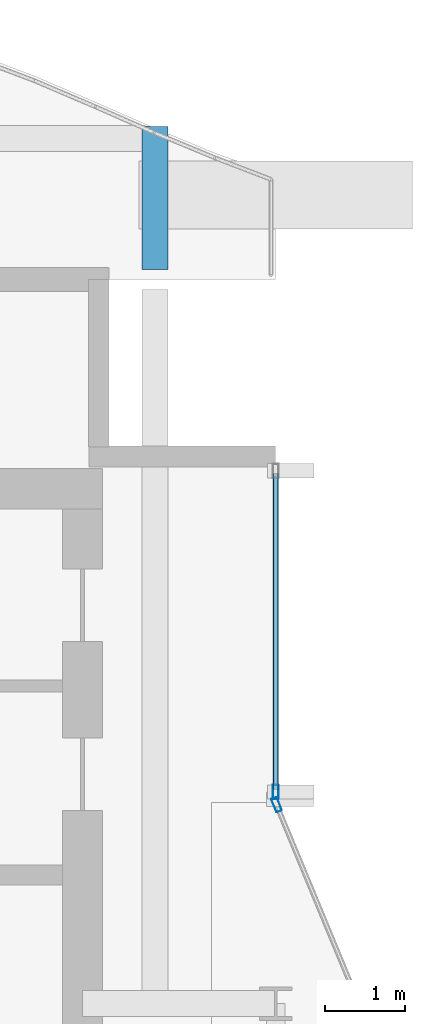
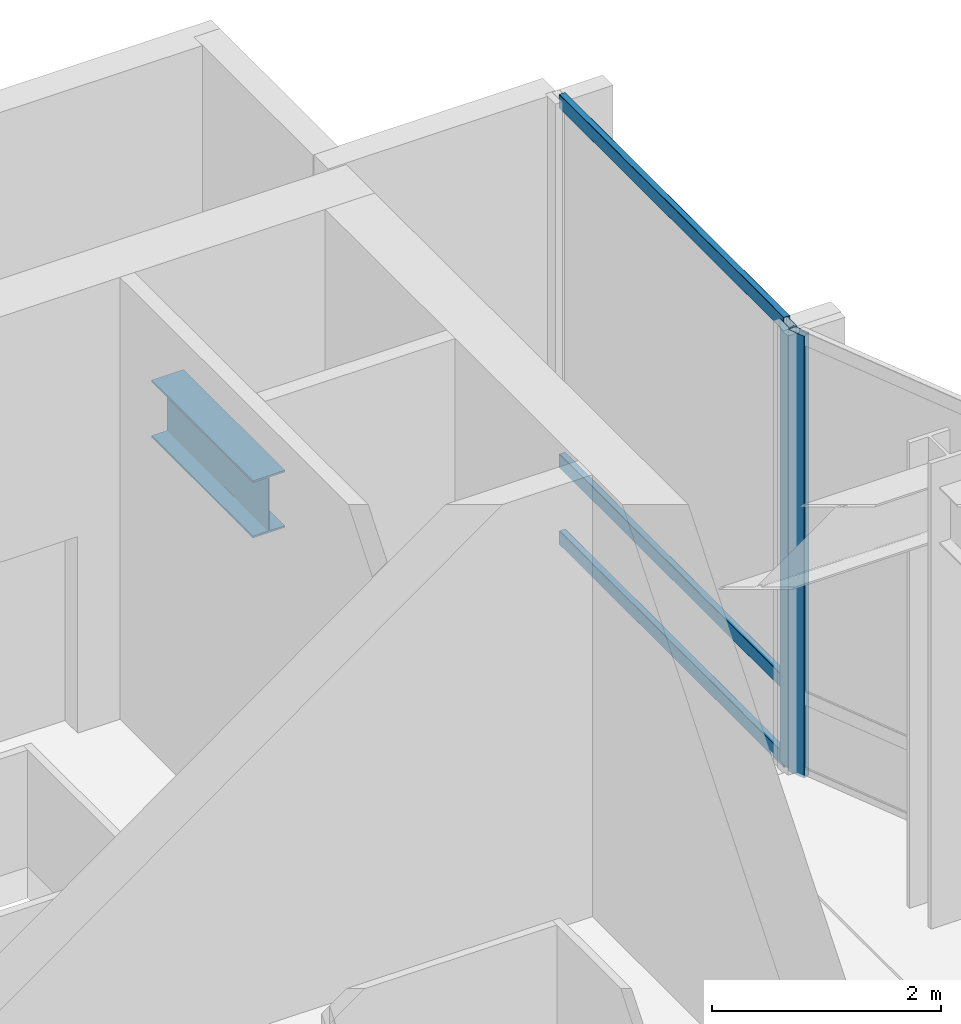
# One storey, part 18 of 29: 5 members, 1 beam, 2 elements without a shape of their own.
"""IFC4 building model written with IfcOpenShell, lengths in metres."""

import ifcopenshell
import ifcopenshell.guid

model = None  # the IFC model being written
_history = None  # IfcOwnerHistory: only IFC2X3 demands one
_inside = {}  # id of a spatial element -> (the spatial element, [elements in it])
_under = {}  # id of a project, library or spatial element -> (it, [spatial elements below it])
_declared = {}  # id of a project -> (the project, [libraries it declares])
_typed = {}  # id of a type object -> (the type object, [elements of that type])
_made_of = {}  # id of a material, layer set ... -> (it, [elements and type objects made of it])


def new_model(schema):
    """Start an empty IFC model of exactly this schema.

    Asked for "IFC4X3", IfcOpenShell would pick the latest addendum, in which some entities
    have other attributes; the version numbers below select the first issue.
    IFC2X3 requires an IfcOwnerHistory on every rooted entity: one is made here for all.
    """
    global model, _history
    if schema == "IFC4X3":
        model = ifcopenshell.file(schema_version=(4, 3, 0, 0))
    else:
        model = ifcopenshell.file(schema=schema)
    _inside.clear()
    _under.clear()
    _declared.clear()
    _typed.clear()
    _made_of.clear()
    _history = None
    if model.schema == "IFC2X3":
        org = make("IfcOrganization", Name="unknown")
        user = make(
            "IfcPersonAndOrganization",
            ThePerson=make("IfcPerson", FamilyName="unknown"),
            TheOrganization=org,
        )
        app = make(
            "IfcApplication",
            ApplicationDeveloper=org,
            Version="unknown",
            ApplicationFullName="unknown",
            ApplicationIdentifier="unknown",
        )
        _history = make(
            "IfcOwnerHistory",
            OwningUser=user,
            OwningApplication=app,
            ChangeAction="ADDED",
            CreationDate=0,
        )
    return model


def make(cls, **values):
    """One entity of the class cls with the attributes given. An attribute that is None is left unset."""
    return model.create_entity(
        cls, **{name: value for name, value in values.items() if value is not None}
    )


def rooted(cls, **values):
    """An entity with a GlobalId (a new one), such as an element, a storey or a relation."""
    return make(cls, GlobalId=ifcopenshell.guid.new(), OwnerHistory=_history, **values)


def si_unit(unit_type, name, prefix=None):
    """IfcSIUnit, for example si_unit("LENGTHUNIT", "METRE", prefix="MILLI")."""
    return make("IfcSIUnit", UnitType=unit_type, Prefix=prefix, Name=name)


def assignment(units):
    """IfcUnitAssignment: the units of a project."""
    return None if units is None else make("IfcUnitAssignment", Units=units)


def point(xyz):
    """IfcCartesianPoint."""
    return None if xyz is None else make("IfcCartesianPoint", Coordinates=xyz)


def direction(xyz):
    """IfcDirection."""
    return None if xyz is None else make("IfcDirection", DirectionRatios=xyz)


def frame(location, z_axis=None, x_axis=None):
    """IfcAxis2Placement3D, a coordinate frame: its origin and axes. An axis left out is left unset."""
    return make(
        "IfcAxis2Placement3D",
        Location=point(location),
        Axis=direction(z_axis),
        RefDirection=direction(x_axis),
    )


def frame_2d(location, x_axis=None):
    """IfcAxis2Placement2D, a coordinate frame in the plane: its origin and x axis."""
    return make(
        "IfcAxis2Placement2D", Location=point(location), RefDirection=direction(x_axis)
    )


def origin():
    """The frame at (0, 0, 0) with its axes left unset."""
    return frame((0.0, 0.0, 0.0))


def origin_2d():
    """The frame at (0, 0) in the plane with its x axis left unset."""
    return frame_2d((0.0, 0.0))


def place(relative_to, where):
    """IfcLocalPlacement: puts the frame where relative to a parent placement (None: the world)."""
    return make(
        "IfcLocalPlacement", PlacementRelTo=relative_to, RelativePlacement=where
    )


def context(
    kind, dimensions, precision=None, world=None, true_north=None, identifier=None
):
    """IfcGeometricRepresentationContext, for example the 3D "Model" context."""
    return make(
        "IfcGeometricRepresentationContext",
        ContextIdentifier=identifier,
        ContextType=kind,
        CoordinateSpaceDimension=dimensions,
        Precision=precision,
        WorldCoordinateSystem=world,
        TrueNorth=true_north,
    )


def subcontext(parent, identifier, kind, view, scale=None):
    """IfcGeometricRepresentationSubContext, for example "Body" below "Model"."""
    return make(
        "IfcGeometricRepresentationSubContext",
        ContextIdentifier=identifier,
        ContextType=kind,
        ParentContext=parent,
        TargetScale=scale,
        TargetView=view,
    )


def project(units=None, contexts=None):
    """IfcProject with its units and contexts."""
    return rooted(
        "IfcProject",
        Name="project",
        RepresentationContexts=contexts,
        UnitsInContext=assignment(units),
    )


def spatial(cls, under=None, at=None, **own):
    """A site, building, storey or space (cls), placed at a placement, below another one or the project."""
    s = rooted(cls, ObjectPlacement=at, **own)
    if under is not None:
        _under.setdefault(under.id(), (under, []))[1].append(s)
    return s


def profile(cls, at=None, kind="AREA", **sizes):
    """A parametric profile (cls). Its sizes go by their IFC names, for example OverallWidth=200.0."""
    return make(cls, ProfileType=kind, Position=at, **sizes)


def hollow_rectangle(**sizes):
    """IfcRectangleHollowProfileDef."""
    return profile("IfcRectangleHollowProfileDef", **sizes)


def i_section(**sizes):
    """IfcIShapeProfileDef."""
    return profile("IfcIShapeProfileDef", **sizes)


def extrude(swept, where, along, depth):
    """IfcExtrudedAreaSolid: the profile swept, set in the frame where, extruded along a direction by depth."""
    return make(
        "IfcExtrudedAreaSolid",
        SweptArea=swept,
        Position=where,
        ExtrudedDirection=direction(along),
        Depth=depth,
    )


def shape(context_of_items, identifier, shape_type, items):
    """IfcShapeRepresentation: the items that make up one representation, for example the "Body"."""
    return make(
        "IfcShapeRepresentation",
        ContextOfItems=context_of_items,
        RepresentationIdentifier=identifier,
        RepresentationType=shape_type,
        Items=items,
    )


def material(Name=None, Category=None):
    """IfcMaterial."""
    return make("IfcMaterial", Name=Name, Category=Category)


def layer(
    of_material, thickness, ventilated=None, Name=None, Category=None, Priority=None
):
    """IfcMaterialLayer: one layer of a wall or slab, of a material (None: an air gap)."""
    return make(
        "IfcMaterialLayer",
        Material=of_material,
        LayerThickness=thickness,
        IsVentilated=ventilated,
        Name=Name,
        Category=Category,
        Priority=Priority,
    )


def layer_set(layers, Name=None):
    """IfcMaterialLayerSet."""
    return make("IfcMaterialLayerSet", MaterialLayers=layers, LayerSetName=Name)


def material_profile(
    of_material, cross_section, Name=None, Category=None, Priority=None
):
    """IfcMaterialProfile: a cross section and its material."""
    return make(
        "IfcMaterialProfile",
        Name=Name,
        Material=of_material,
        Profile=cross_section,
        Priority=Priority,
        Category=Category,
    )


def profile_set(profiles, Name=None, composite=None):
    """IfcMaterialProfileSet."""
    return make(
        "IfcMaterialProfileSet",
        Name=Name,
        MaterialProfiles=profiles,
        CompositeProfile=composite,
    )


def made_of(thing, what):
    """Note that an element or type object is made of a material, layer set ...; save() writes the relation."""
    if what is not None:
        _made_of.setdefault(what.id(), (what, []))[1].append(thing)
    return thing


def type_object(cls, material=None, **own):
    """A type object (cls), such as IfcWallType, which elements share."""
    return made_of(rooted(cls, **own), material)


def element(
    cls,
    number,
    at=None,
    inside=None,
    cuts=None,
    type_object=None,
    material=None,
    context=None,
    identifier="Body",
    shape_type=None,
    held_by="IfcProductDefinitionShape",
    body=None,
    shapes=None,
    **own,
):
    """One element of the class cls, such as IfcWall. Its Tag is "e" and its number.

    at: its placement. inside: the storey or other place that contains it. cuts: it is an
    opening in that element (IfcRelVoidsElement). A single representation is given by context,
    identifier, shape_type and body (its items); several are given by shapes. held_by: the class
    of the entity that holds the representations. save() writes the other relations.
    """
    e = rooted(cls, Tag="e%d" % number, ObjectPlacement=at, **own)
    if body is not None:
        shapes = [shape(context, identifier, shape_type, body)]
    if shapes is not None:
        e.Representation = make(held_by, Representations=shapes)
    if inside is not None:
        _inside.setdefault(inside.id(), (inside, []))[1].append(e)
    if cuts is not None:
        rooted(
            "IfcRelVoidsElement", RelatingBuildingElement=cuts, RelatedOpeningElement=e
        )
    if type_object is not None:
        _typed.setdefault(type_object.id(), (type_object, []))[1].append(e)
    return made_of(e, material)


def aggregate(whole, parts):
    """IfcRelAggregates: a whole, such as a stair, and the parts it consists of."""
    return rooted("IfcRelAggregates", RelatingObject=whole, RelatedObjects=parts)


def save(model, path):
    """Write the relations noted so far, then the file.

    IfcRelAggregates (storeys below a building ...), IfcRelContainedInSpatialStructure (elements
    in a storey), IfcRelDefinesByType, IfcRelAssociatesMaterial and IfcRelDeclares: one each for
    every whole, place, type object, material and project.
    """
    for whole, parts in _under.values():
        aggregate(whole, parts)
    for where, things in _inside.values():
        rooted(
            "IfcRelContainedInSpatialStructure",
            RelatedElements=things,
            RelatingStructure=where,
        )
    for kind, things in _typed.values():
        rooted("IfcRelDefinesByType", RelatedObjects=things, RelatingType=kind)
    for what, things in _made_of.values():
        rooted("IfcRelAssociatesMaterial", RelatedObjects=things, RelatingMaterial=what)
    for by, libraries in _declared.values():
        rooted("IfcRelDeclares", RelatingContext=by, RelatedDefinitions=libraries)
    model.write(path)


model = new_model("IFC4")

# Units and contexts
model_context = context("Model", 3, precision=1e-05, world=origin(), true_north=direction((0.0, 1.0)))
body_context = subcontext(model_context, "Body", "Model", "MODEL_VIEW")
ifc_project = project(units=[si_unit("LENGTHUNIT", "METRE"), si_unit("AREAUNIT", "SQUARE_METRE"), si_unit("VOLUMEUNIT", "CUBIC_METRE"), si_unit("PLANEANGLEUNIT", "RADIAN"), si_unit("MASSUNIT", "GRAM", prefix="KILO")], contexts=[model_context])

# Site, building, storey
site_placement = place(None, origin())
site = spatial("IfcSite", under=ifc_project, at=site_placement, CompositionType="ELEMENT")
building_placement = place(site_placement, origin())
building = spatial("IfcBuilding", under=site, at=building_placement, Name="Solvaryn Broadcast Tower", CompositionType="ELEMENT")
storey_placement = place(building_placement, frame((0.0, 0.0, 169.199951171875)))
storey = spatial("IfcBuildingStorey", under=building, at=storey_placement, Name="L42", CompositionType="ELEMENT", Elevation=169.199951171875)

# Beam
ifc_material_1 = material(Name="Steel ASTM A992 Grade 50", Category="steel")
ifc_material_profile_1 = material_profile(ifc_material_1, i_section(OverallWidth=0.323974609375, OverallDepth=0.611083984375, WebThickness=0.0126953125, FlangeThickness=0.01904296875, FilletRadius=0.014892578125, at=origin_2d()))
ifc_profile_set_1 = profile_set([ifc_material_profile_1], Name="Steel ASTM A992 Grade 50")
beam_type = type_object("IfcBeamType", Name="BM-CANT-TER", PredefinedType="BEAM", material=ifc_profile_set_1)
beam_placement = place(storey_placement, frame((25.5, 45.125, -0.635498046875), z_axis=(0.0, 1.0, 0.0), x_axis=(-1.0, 0.0, 0.0)))
element("IfcBeam", 1, at=beam_placement, inside=storey, type_object=beam_type, Name="L42 North Terrace Cantilever Beam 25.5", PredefinedType="BEAM", context=body_context, shape_type="SweptSolid", body=[
    extrude(i_section(OverallWidth=0.323974609375, OverallDepth=0.611083984375, WebThickness=0.0126953125, FlangeThickness=0.01904296875, FilletRadius=0.014892578125, at=origin_2d()), origin(), (0.0, 0.0, 1.0), 1.77490234375),
])

# Curtain wall, member
ifc_material_2 = material(Name="Aluminium and Terracotta Unitised Curtain Wall", Category="masonry")
ifc_layer = layer(ifc_material_2, 0.25)
ifc_layer_set = layer_set([ifc_layer], Name="CW-SYS4-SKYGARDEN")
curtain_wall_type = type_object("IfcCurtainWallType", Name="CW-SYS4-SKYGARDEN", PredefinedType="NOTDEFINED", material=ifc_layer_set)
curtain_wall_1_placement = place(storey_placement, origin())
curtain_wall_1 = element("IfcCurtainWall", 2, at=curtain_wall_1_placement, inside=storey, type_object=curtain_wall_type, Name="L42 Curtain Wall IV", PredefinedType="NOTDEFINED")
ifc_material_3 = material(Name="Anodised Aluminium 6063-T6", Category="aluminium")
ifc_material_profile_2 = material_profile(ifc_material_3, hollow_rectangle(XDim=0.074951171875, YDim=0.179931640625, WallThickness=0.00390625, InnerFilletRadius=0.00390625, OuterFilletRadius=0.008056640625, at=origin_2d()))
ifc_profile_set_2 = profile_set([ifc_material_profile_2], Name="Anodised Aluminium 6063-T6")
member_type_1 = type_object("IfcMemberType", Name="CW-MUL-180", PredefinedType="MULLION", material=ifc_profile_set_2)
member_1_placement = place(storey_placement, frame((27.0, 38.6298828125, 0.0), z_axis=(0.0, 0.0, 1.0), x_axis=(1.0, 0.0, 0.0)))
member_1 = element("IfcMember", 3, at=member_1_placement, type_object=member_type_1, Name="CWS4 mullion 2", PredefinedType="MULLION", context=body_context, shape_type="SweptSolid", body=[
    extrude(hollow_rectangle(XDim=0.074951171875, YDim=0.179931640625, WallThickness=0.00390625, InnerFilletRadius=0.00390625, OuterFilletRadius=0.008056640625, at=origin_2d()), origin(), (0.0, 0.0, 1.0), 4.719970703125),
])

curtain_wall_2_placement = place(storey_placement, origin())
curtain_wall_2 = element("IfcCurtainWall", 4, at=curtain_wall_2_placement, inside=storey, type_object=curtain_wall_type, Name="L42 Curtain Wall CN2", PredefinedType="NOTDEFINED")
member_2_placement = place(storey_placement, frame((27.011474609375, 38.47216796875, 0.0), z_axis=(0.0, 0.0, 1.0), x_axis=(-0.923894983957, -0.382646127145, 0.0)))
member_2 = element("IfcMember", 5, at=member_2_placement, type_object=member_type_1, Name="CWS4 mullion 2", PredefinedType="MULLION", context=body_context, shape_type="SweptSolid", body=[
    extrude(hollow_rectangle(XDim=0.074951171875, YDim=0.179931640625, WallThickness=0.00390625, InnerFilletRadius=0.00390625, OuterFilletRadius=0.008056640625, at=origin_2d()), origin(), (0.0, 0.0, 1.0), 4.719970703125),
])
aggregate(curtain_wall_2, [member_2])

# Member
ifc_material_4 = material(Name="Anodised Aluminium 6063-T6", Category="aluminium")
ifc_material_profile_3 = material_profile(ifc_material_4, hollow_rectangle(XDim=0.06494140625, YDim=0.14990234375, WallThickness=0.00390625, InnerFilletRadius=0.00390625, OuterFilletRadius=0.008056640625, at=origin_2d()))
ifc_profile_set_3 = profile_set([ifc_material_profile_3], Name="Anodised Aluminium 6063-T6")
member_type_2 = type_object("IfcMemberType", Name="CW-TRN-150", PredefinedType="USERDEFINED", material=ifc_profile_set_3)
member_3_placement = place(storey_placement, frame((27.0, 42.590087890625, 0.030029296875), z_axis=(0.0, -1.0, 0.0), x_axis=(1.0, 0.0, 0.0)))
member_3 = element("IfcMember", 6, at=member_3_placement, type_object=member_type_2, Name="CWS4 transom 1.1", ObjectType="TRANSOM", PredefinedType="USERDEFINED", context=body_context, shape_type="SweptSolid", body=[
    extrude(hollow_rectangle(XDim=0.06494140625, YDim=0.14990234375, WallThickness=0.00390625, InnerFilletRadius=0.00390625, OuterFilletRadius=0.008056640625, at=origin_2d()), origin(), (0.0, 0.0, 1.0), 3.93017578125),
])

member_4_placement = place(storey_placement, frame((27.0, 42.590087890625, 0.85009765625), z_axis=(0.0, -1.0, 0.0), x_axis=(1.0, 0.0, 0.0)))
member_4 = element("IfcMember", 7, at=member_4_placement, type_object=member_type_2, Name="CWS4 transom 1.2", ObjectType="TRANSOM", PredefinedType="USERDEFINED", context=body_context, shape_type="SweptSolid", body=[
    extrude(hollow_rectangle(XDim=0.06494140625, YDim=0.14990234375, WallThickness=0.00390625, InnerFilletRadius=0.00390625, OuterFilletRadius=0.008056640625, at=origin_2d()), origin(), (0.0, 0.0, 1.0), 3.93017578125),
])

member_5_placement = place(storey_placement, frame((27.0, 42.590087890625, 4.68994140625), z_axis=(0.0, -1.0, 0.0), x_axis=(1.0, 0.0, 0.0)))
member_5 = element("IfcMember", 8, at=member_5_placement, type_object=member_type_2, Name="CWS4 transom 1.3", ObjectType="TRANSOM", PredefinedType="USERDEFINED", context=body_context, shape_type="SweptSolid", body=[
    extrude(hollow_rectangle(XDim=0.06494140625, YDim=0.14990234375, WallThickness=0.00390625, InnerFilletRadius=0.00390625, OuterFilletRadius=0.008056640625, at=origin_2d()), origin(), (0.0, 0.0, 1.0), 3.93017578125),
])

aggregate(curtain_wall_1, [member_1, member_3, member_4, member_5])

save(model, "model.ifc")
